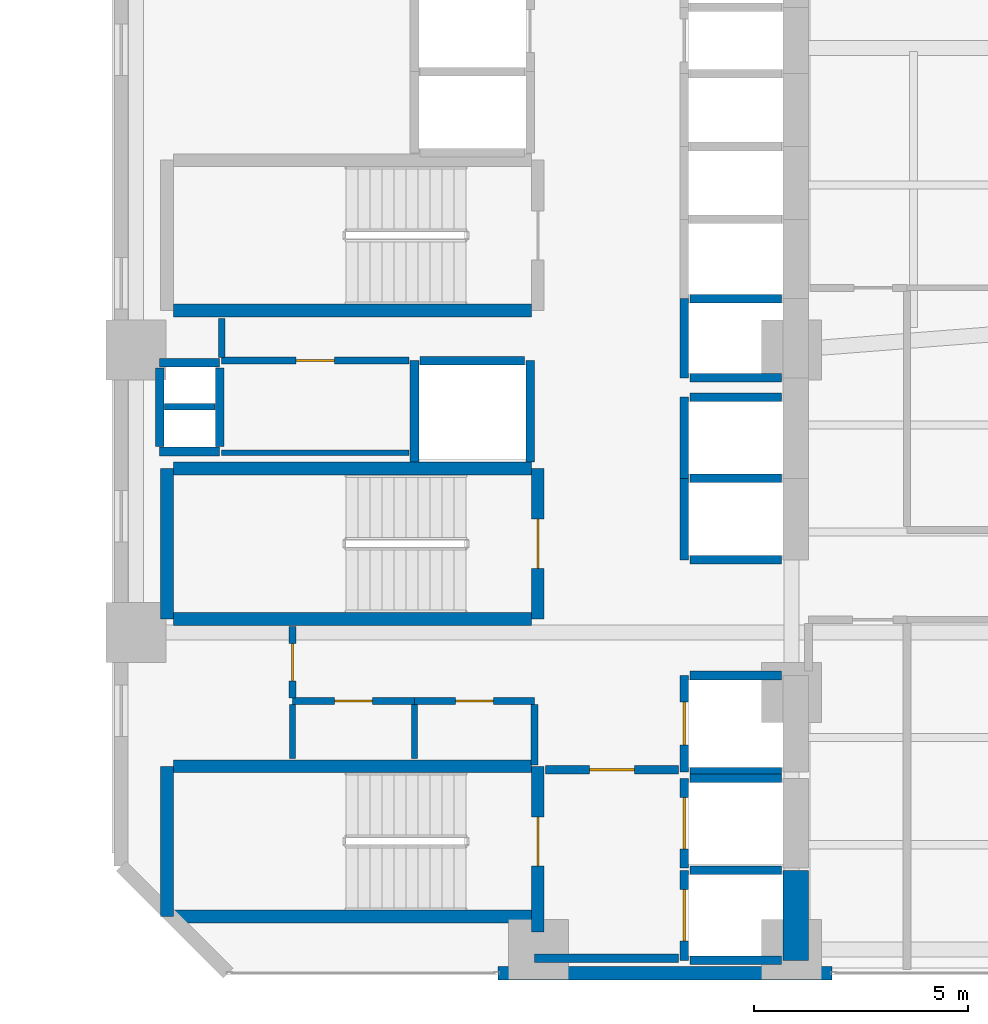
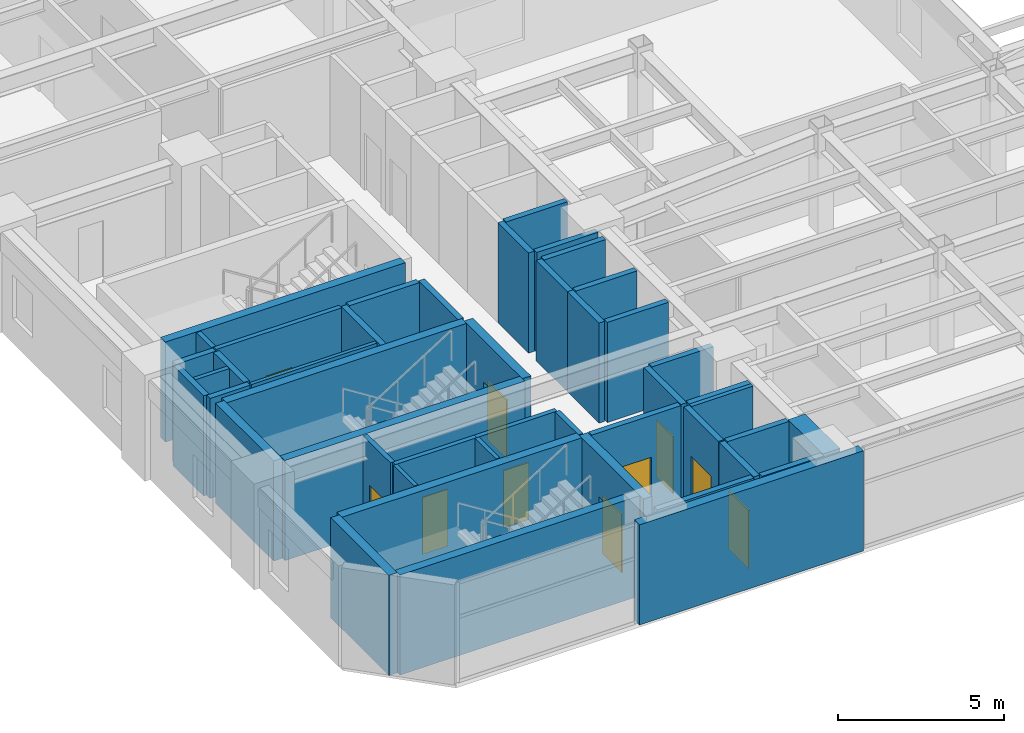
# One storey, part 9 of 16: 46 walls, 10 doors, 10 openings.
"""IFC4 building model written with IfcOpenShell, lengths in metres."""

from ifc_helpers import new_model, si_unit, direction, frame, frame_2d, origin, place, context, subcontext, project, spatial, rectangle, extrude, material, layer, layer_set, type_object, element, fill, save


model = new_model("IFC4")

# Units and contexts
model_context = context("Model", 3, precision=1e-05, world=origin(), true_north=direction((0.0, 1.0)))
body_context = subcontext(model_context, "Body", "Model", "MODEL_VIEW")
ifc_project = project(units=[si_unit("LENGTHUNIT", "METRE"), si_unit("AREAUNIT", "SQUARE_METRE"), si_unit("VOLUMEUNIT", "CUBIC_METRE"), si_unit("PLANEANGLEUNIT", "RADIAN"), si_unit("MASSUNIT", "GRAM", prefix="KILO")], contexts=[model_context])

# Site, building, storey
site_placement = place(None, origin())
site = spatial("IfcSite", under=ifc_project, at=site_placement, CompositionType="ELEMENT")
building_placement = place(site_placement, origin())
building = spatial("IfcBuilding", under=site, at=building_placement, Name="Mawjaban Terraces University", CompositionType="ELEMENT")
storey_placement = place(building_placement, frame((0.0, 0.0, 54.39990234375)))
storey = spatial("IfcBuildingStorey", under=building, at=storey_placement, Name="L12", CompositionType="ELEMENT", Elevation=54.39990234375)

# Wall
ifc_material_1 = material(Name="Concrete C70/85", Category="concrete")
ifc_layer_1 = layer(ifc_material_1, 0.60009765625)
ifc_layer_set_1 = layer_set([ifc_layer_1], Name="Concrete C70/85")
wall_type_1 = type_object("IfcWallType", Name="CoreShearWall_600", PredefinedType="SHEAR", material=ifc_layer_set_1)
wall_1_placement = place(storey_placement, frame((37.75, 0.300048828125, 0.0), z_axis=(0.0, 0.0, 1.0), x_axis=(0.0, 1.0, 0.0)))
element("IfcWall", 1, at=wall_1_placement, inside=storey, type_object=wall_type_1, Name="L12 Lift FL-1 Hoistway Wall East", PredefinedType="SHEAR", context=body_context, shape_type="SweptSolid", body=[
    extrude(rectangle(XDim=2.099853515625, YDim=0.60009765625, at=frame_2d((1.0498046875, 0.0))), origin(), (0.0, 0.0, 1.0), 3.690185546875),
])

# Wall, opening, door
ifc_material_2 = material(Name="Fire-rated gypsum board on steel stud", Category="steel")
ifc_layer_2 = layer(ifc_material_2, 0.159912109375)
ifc_layer_set_2 = layer_set([ifc_layer_2], Name="Fire-rated gypsum board on steel stud")
wall_type_2 = type_object("IfcWallType", Name="CorridorPartition_160", PredefinedType="PARTITIONING", material=ifc_layer_set_2)
wall_2_placement = place(storey_placement, frame((24.35009765625, 14.300048828125, 0.0), z_axis=(0.0, 0.0, 1.0), x_axis=(1.0, 0.0, 0.0)))
wall_2 = element("IfcWall", 2, at=wall_2_placement, inside=storey, type_object=wall_type_2, Name="L12 Core Riser Access Passage Partition 2", PredefinedType="PARTITIONING", context=body_context, shape_type="SweptSolid", body=[
    extrude(rectangle(XDim=4.369873046875, YDim=0.159912109375, at=frame_2d((2.18505859375, 0.0))), origin(), (0.0, 0.0, 1.0), 3.690185546875),
])
opening_1_placement = place(wall_2_placement, frame((1.735107421875, 0.0, 0.0)))
opening_1 = element("IfcOpeningElement", 3, at=opening_1_placement, cuts=wall_2, Name="Opening ID-090", PredefinedType="OPENING", context=body_context, shape_type="SweptSolid", body=[
    extrude(rectangle(XDim=0.89990234375, YDim=2.10009765625, at=frame_2d((0.449951171875, 1.050048828125))), frame((0.0, 0.08984375, 0.0), z_axis=(0.0, -1.0, 0.0), x_axis=(1.0, 0.0, 0.0)), (0.0, 0.0, 1.0), 0.179931640625),
])
ifc_material_3 = material(Name="Powder-coated steel frame and solid acoustic timber leaf", Category="steel")
door_type_1 = type_object("IfcDoorType", Name="OfficeDoor_900x2100", OperationType="NOTDEFINED", PredefinedType="DOOR", material=ifc_material_3)
door_1_placement = place(opening_1_placement, origin())
door_1 = element("IfcDoor", 4, at=door_1_placement, inside=storey, type_object=door_type_1, Name="L12 Cleaner Store Door", OperationType="SINGLE_SWING_RIGHT", OverallHeight=2.10009765625, OverallWidth=0.89990234375, PredefinedType="DOOR", context=body_context, shape_type="SweptSolid", body=[
    extrude(rectangle(XDim=0.89990234375, YDim=2.10009765625, at=frame_2d((0.449951171875, 1.050048828125))), frame((0.0, 0.02490234375, 0.0), z_axis=(0.0, -1.0, 0.0), x_axis=(1.0, 0.0, 0.0)), (0.0, 0.0, 1.0), 0.050048828125),
])
fill(opening_1, door_1)

wall_3_placement = place(storey_placement, frame((26.0, 6.35009765625, 0.0), z_axis=(0.0, 0.0, 1.0), x_axis=(1.0, 0.0, 0.0)))
wall_3 = element("IfcWall", 5, at=wall_3_placement, inside=storey, type_object=wall_type_2, Name="L12 Core Washroom Lobby Partition 3", PredefinedType="PARTITIONING", context=body_context, shape_type="SweptSolid", body=[
    extrude(rectangle(XDim=2.85009765625, YDim=0.159912109375, at=frame_2d((1.425048828125, 0.0))), origin(), (0.0, 0.0, 1.0), 3.690185546875),
])
opening_2_placement = place(wall_3_placement, frame((0.985107421875, 0.0, 0.0)))
opening_2 = element("IfcOpeningElement", 6, at=opening_2_placement, cuts=wall_3, Name="Opening ID-088", PredefinedType="OPENING", context=body_context, shape_type="SweptSolid", body=[
    extrude(rectangle(XDim=0.8798828125, YDim=2.10009765625, at=frame_2d((0.43994140625, 1.050048828125))), frame((0.0, 0.08984375, 0.0), z_axis=(0.0, -1.0, 0.0), x_axis=(1.0, 0.0, 0.0)), (0.0, 0.0, 1.0), 0.179931640625),
])
door_type_2 = type_object("IfcDoorType", Name="ToiletDoor_880x2100", OperationType="NOTDEFINED", PredefinedType="DOOR", material=ifc_material_3)
door_2_placement = place(opening_2_placement, origin())
door_2 = element("IfcDoor", 7, at=door_2_placement, inside=storey, type_object=door_type_2, Name="L12 Male Toilet Door", OperationType="SINGLE_SWING_RIGHT", OverallHeight=2.10009765625, OverallWidth=0.8798828125, PredefinedType="DOOR", context=body_context, shape_type="SweptSolid", body=[
    extrude(rectangle(XDim=0.8798828125, YDim=2.10009765625, at=frame_2d((0.43994140625, 1.050048828125))), frame((0.0, 0.02490234375, 0.0), z_axis=(0.0, -1.0, 0.0), x_axis=(1.0, 0.0, 0.0)), (0.0, 0.0, 1.0), 0.050048828125),
])
fill(opening_2, door_2)

wall_4_placement = place(storey_placement, frame((28.85009765625, 6.35009765625, 0.0), z_axis=(0.0, 0.0, 1.0), x_axis=(1.0, 0.0, 0.0)))
wall_4 = element("IfcWall", 8, at=wall_4_placement, inside=storey, type_object=wall_type_2, Name="L12 Core Washroom Lobby Partition 6", PredefinedType="PARTITIONING", context=body_context, shape_type="SweptSolid", body=[
    extrude(rectangle(XDim=2.7998046875, YDim=0.159912109375, at=frame_2d((1.39990234375, 0.0))), origin(), (0.0, 0.0, 1.0), 3.690185546875),
])
opening_3_placement = place(wall_4_placement, frame((0.9599609375, 0.0, 0.0)))
opening_3 = element("IfcOpeningElement", 9, at=opening_3_placement, cuts=wall_4, Name="Opening ID-088", PredefinedType="OPENING", context=body_context, shape_type="SweptSolid", body=[
    extrude(rectangle(XDim=0.8798828125, YDim=2.10009765625, at=frame_2d((0.43994140625, 1.050048828125))), frame((0.0, 0.08984375, 0.0), z_axis=(0.0, -1.0, 0.0), x_axis=(1.0, 0.0, 0.0)), (0.0, 0.0, 1.0), 0.179931640625),
])
door_3_placement = place(opening_3_placement, origin())
door_3 = element("IfcDoor", 10, at=door_3_placement, inside=storey, type_object=door_type_2, Name="L12 Accessible Toilet Door", OperationType="SINGLE_SWING_LEFT", OverallHeight=2.10009765625, OverallWidth=0.8798828125, PredefinedType="DOOR", context=body_context, shape_type="SweptSolid", body=[
    extrude(rectangle(XDim=0.8798828125, YDim=2.10009765625, at=frame_2d((0.43994140625, 1.050048828125))), frame((0.0, 0.02490234375, 0.0), z_axis=(0.0, -1.0, 0.0), x_axis=(1.0, 0.0, 0.0)), (0.0, 0.0, 1.0), 0.050048828125),
])
fill(opening_3, door_3)

# Wall
wall_5_placement = place(storey_placement, frame((24.35009765625, 15.2900390625, 0.0), z_axis=(0.0, 0.0, 1.0), x_axis=(0.0, -1.0, 0.0)))
element("IfcWall", 11, at=wall_5_placement, inside=storey, type_object=wall_type_2, Name="L12 Core Riser Access Passage Partition 26", PredefinedType="PARTITIONING", context=body_context, shape_type="SweptSolid", body=[
    extrude(rectangle(XDim=0.9150390625, YDim=0.159912109375, at=frame_2d((0.45751953125, 0.0))), origin(), (0.0, 0.0, 1.0), 3.690185546875),
])

# Wall, opening, door
wall_6_placement = place(storey_placement, frame((26.0, 8.090087890625, 0.0), z_axis=(0.0, 0.0, 1.0), x_axis=(0.0, -1.0, 0.0)))
wall_6 = element("IfcWall", 12, at=wall_6_placement, inside=storey, type_object=wall_type_2, Name="L12 Core Washroom Lobby Partition 28", PredefinedType="PARTITIONING", context=body_context, shape_type="SweptSolid", body=[
    extrude(rectangle(XDim=1.6650390625, YDim=0.159912109375, at=frame_2d((0.83251953125, 0.0))), origin(), (0.0, 0.0, 1.0), 3.690185546875),
])
opening_4_placement = place(wall_6_placement, frame((0.39306640625, 0.0, 0.0)))
opening_4 = element("IfcOpeningElement", 13, at=opening_4_placement, cuts=wall_6, Name="Opening ID-088", PredefinedType="OPENING", context=body_context, shape_type="SweptSolid", body=[
    extrude(rectangle(XDim=0.8798828125, YDim=2.10009765625, at=frame_2d((0.43994140625, 1.050048828125))), frame((0.0, 0.08984375, 0.0), z_axis=(0.0, -1.0, 0.0), x_axis=(1.0, 0.0, 0.0)), (0.0, 0.0, 1.0), 0.179931640625),
])
door_4_placement = place(opening_4_placement, origin())
door_4 = element("IfcDoor", 14, at=door_4_placement, inside=storey, type_object=door_type_2, Name="L12 Ablution Room Door", OperationType="SINGLE_SWING_LEFT", OverallHeight=2.10009765625, OverallWidth=0.8798828125, PredefinedType="DOOR", context=body_context, shape_type="SweptSolid", body=[
    extrude(rectangle(XDim=0.8798828125, YDim=2.10009765625, at=frame_2d((0.43994140625, 1.050048828125))), frame((0.0, 0.02490234375, 0.0), z_axis=(0.0, -1.0, 0.0), x_axis=(1.0, 0.0, 0.0)), (0.0, 0.0, 1.0), 0.050048828125),
])
fill(opening_4, door_4)

# Walls
wall_7_placement = place(storey_placement, frame((31.64990234375, 4.860107421875, 0.0), z_axis=(0.0, 0.0, 1.0), x_axis=(0.0, 1.0, 0.0)))
element("IfcWall", 15, at=wall_7_placement, inside=storey, type_object=wall_type_2, Name="L12 Accessible Toilet Partition 35", PredefinedType="PARTITIONING", context=body_context, shape_type="SweptSolid", body=[
    extrude(rectangle(XDim=1.414794921875, YDim=0.159912109375, at=frame_2d((0.70751953125, 0.0))), origin(), (0.0, 0.0, 1.0), 3.690185546875),
])
ifc_material_4 = material(Name="Insulated terracotta rainscreen on concrete backup C40/50", Category="masonry")
ifc_layer_3 = layer(ifc_material_4, 0.320068359375)
ifc_layer_set_3 = layer_set([ifc_layer_3], Name="Insulated terracotta rainscreen on concrete backup C40/50")
wall_type_3 = type_object("IfcWallType", Name="ExtTerracottaWall_320", PredefinedType="SOLIDWALL", material=ifc_layer_set_3)
wall_8_placement = place(storey_placement, frame((30.800048828125, 0.0, 0.0), z_axis=(0.0, 0.0, 1.0), x_axis=(1.0, 0.0, 0.0)))
element("IfcWall", 16, at=wall_8_placement, inside=storey, type_object=wall_type_3, Name="L12 Exterior Terracotta Pier Wall 1.1", PredefinedType="SOLIDWALL", context=body_context, shape_type="SweptSolid", body=[
    extrude(rectangle(XDim=7.800048828125, YDim=0.320068359375, at=frame_2d((3.89990234375, 0.0))), origin(), (0.0, 0.0, 1.0), 3.690185546875),
])

# Wall, opening, door
ifc_material_5 = material(Name="Concrete C40/50", Category="concrete")
ifc_layer_4 = layer(ifc_material_5, 0.199951171875)
ifc_layer_set_4 = layer_set([ifc_layer_4], Name="Concrete C40/50")
wall_type_4 = type_object("IfcWallType", Name="FireLobbyWall_200", PredefinedType="SOLIDWALL", material=ifc_layer_set_4)
wall_9_placement = place(storey_placement, frame((35.14990234375, 2.39990234375, 0.0), z_axis=(0.0, 0.0, 1.0), x_axis=(0.0, -1.0, 0.0)))
wall_9 = element("IfcWall", 17, at=wall_9_placement, inside=storey, type_object=wall_type_4, Name="L12 Lift FL-1 Hoistway Wall West", PredefinedType="SOLIDWALL", context=body_context, shape_type="SweptSolid", body=[
    extrude(rectangle(XDim=2.099853515625, YDim=0.199951171875, at=frame_2d((1.0498046875, 0.0))), origin(), (0.0, 0.0, 1.0), 3.690185546875),
])
opening_5_placement = place(wall_9_placement, frame((0.449951171875, 0.0, 0.0)))
opening_5 = element("IfcOpeningElement", 18, at=opening_5_placement, cuts=wall_9, Name="Opening LD-FL-1", PredefinedType="OPENING", context=body_context, shape_type="SweptSolid", body=[
    extrude(rectangle(XDim=1.199951171875, YDim=2.14990234375, at=frame_2d((0.60009765625, 1.074951171875))), frame((0.0, 0.10986328125, 0.0), z_axis=(0.0, -1.0, 0.0), x_axis=(1.0, 0.0, 0.0)), (0.0, 0.0, 1.0), 0.219970703125),
])
ifc_material_6 = material(Name="Powder-coated steel frame and fire-rated steel-faced leaf", Category="steel")
door_type_3 = type_object("IfcDoorType", Name="LiftLandingFSAE_1200x2150", OperationType="NOTDEFINED", PredefinedType="DOOR", material=ifc_material_6)
door_5_placement = place(opening_5_placement, origin())
door_5 = element("IfcDoor", 19, at=door_5_placement, inside=storey, type_object=door_type_3, Name="L12 Lift FL-1 Sliding Landing Door", OperationType="DOUBLE_DOOR_SLIDING", OverallHeight=2.14990234375, OverallWidth=1.199951171875, PredefinedType="DOOR", context=body_context, shape_type="SweptSolid", body=[
    extrude(rectangle(XDim=1.199951171875, YDim=2.14990234375, at=frame_2d((0.60009765625, 1.074951171875))), frame((0.0, 0.02490234375, 0.0), z_axis=(0.0, -1.0, 0.0), x_axis=(1.0, 0.0, 0.0)), (0.0, 0.0, 1.0), 0.050048828125),
])
fill(opening_5, door_5)

# Walls
for number, where, z_axis, x_axis, name in (
    (20, (35.280029296875, 0.300048828125, 0.0), (0.0, 0.0, 1.0), (1.0, 0.0, 0.0), "L12 Lift FL-1 Hoistway Wall South"),
    (21, (37.419921875, 2.39990234375, 0.0), (0.0, 0.0, 1.0), (-1.0, 0.0, 0.0), "L12 Lift FL-1 Hoistway Wall North"),
):
    element("IfcWall", number, at=place(storey_placement, frame(where, z_axis=z_axis, x_axis=x_axis)), inside=storey, type_object=wall_type_4, Name=name, PredefinedType="SOLIDWALL", context=body_context, shape_type="SweptSolid", body=[
        extrude(rectangle(XDim=2.139892578125, YDim=0.199951171875, at=frame_2d((1.06982421875, 0.0))), origin(), (0.0, 0.0, 1.0), 3.690185546875),
    ])

# Wall, opening, door
wall_10_placement = place(storey_placement, frame((35.14990234375, 4.550048828125, 0.0), z_axis=(0.0, 0.0, 1.0), x_axis=(0.0, -1.0, 0.0)))
wall_10 = element("IfcWall", 22, at=wall_10_placement, inside=storey, type_object=wall_type_4, Name="L12 Lift FL-2 Hoistway Wall West", PredefinedType="SOLIDWALL", context=body_context, shape_type="SweptSolid", body=[
    extrude(rectangle(XDim=2.10009765625, YDim=0.199951171875, at=frame_2d((1.050048828125, 0.0))), origin(), (0.0, 0.0, 1.0), 3.690185546875),
])
opening_6_placement = place(wall_10_placement, frame((0.449951171875, 0.0, 0.0)))
opening_6 = element("IfcOpeningElement", 23, at=opening_6_placement, cuts=wall_10, Name="Opening LD-FL-2", PredefinedType="OPENING", context=body_context, shape_type="SweptSolid", body=[
    extrude(rectangle(XDim=1.199951171875, YDim=2.14990234375, at=frame_2d((0.60009765625, 1.074951171875))), frame((0.0, 0.10986328125, 0.0), z_axis=(0.0, -1.0, 0.0), x_axis=(1.0, 0.0, 0.0)), (0.0, 0.0, 1.0), 0.219970703125),
])
door_6_placement = place(opening_6_placement, origin())
door_6 = element("IfcDoor", 24, at=door_6_placement, inside=storey, type_object=door_type_3, Name="L12 Lift FL-2 Sliding Landing Door", OperationType="DOUBLE_DOOR_SLIDING", OverallHeight=2.14990234375, OverallWidth=1.199951171875, PredefinedType="DOOR", context=body_context, shape_type="SweptSolid", body=[
    extrude(rectangle(XDim=1.199951171875, YDim=2.14990234375, at=frame_2d((0.60009765625, 1.074951171875))), frame((0.0, 0.02490234375, 0.0), z_axis=(0.0, -1.0, 0.0), x_axis=(1.0, 0.0, 0.0)), (0.0, 0.0, 1.0), 0.050048828125),
])
fill(opening_6, door_6)

# Wall
wall_11_placement = place(storey_placement, frame((37.419921875, 4.550048828125, 0.0), z_axis=(0.0, 0.0, 1.0), x_axis=(-1.0, 0.0, 0.0)))
element("IfcWall", 25, at=wall_11_placement, inside=storey, type_object=wall_type_4, Name="L12 Lift FL-2 Hoistway Wall North", PredefinedType="SOLIDWALL", context=body_context, shape_type="SweptSolid", body=[
    extrude(rectangle(XDim=2.139892578125, YDim=0.199951171875, at=frame_2d((1.06982421875, 0.0))), origin(), (0.0, 0.0, 1.0), 3.690185546875),
])

# Wall, opening, door
wall_12_placement = place(storey_placement, frame((35.14990234375, 6.949951171875, 0.0), z_axis=(0.0, 0.0, 1.0), x_axis=(0.0, -1.0, 0.0)))
wall_12 = element("IfcWall", 26, at=wall_12_placement, inside=storey, type_object=wall_type_4, Name="L12 Lift SL-1 Hoistway Wall West", PredefinedType="SOLIDWALL", context=body_context, shape_type="SweptSolid", body=[
    extrude(rectangle(XDim=2.25, YDim=0.199951171875, at=frame_2d((1.125, 0.0))), origin(), (0.0, 0.0, 1.0), 3.690185546875),
])
opening_7_placement = place(wall_12_placement, frame((0.625, 0.0, 0.0)))
opening_7 = element("IfcOpeningElement", 27, at=opening_7_placement, cuts=wall_12, Name="Opening LD-SL-1", PredefinedType="OPENING", context=body_context, shape_type="SweptSolid", body=[
    extrude(rectangle(XDim=1.0, YDim=2.10009765625, at=frame_2d((0.5, 1.050048828125))), frame((0.0, 0.10986328125, 0.0), z_axis=(0.0, -1.0, 0.0), x_axis=(1.0, 0.0, 0.0)), (0.0, 0.0, 1.0), 0.219970703125),
])
door_type_4 = type_object("IfcDoorType", Name="LiftLandingSliding_1000x2100", OperationType="NOTDEFINED", PredefinedType="DOOR", material=ifc_material_6)
door_7_placement = place(opening_7_placement, origin())
door_7 = element("IfcDoor", 28, at=door_7_placement, inside=storey, type_object=door_type_4, Name="L12 Lift SL-1 Sliding Landing Door", OperationType="DOUBLE_DOOR_SLIDING", OverallHeight=2.10009765625, OverallWidth=1.0, PredefinedType="DOOR", context=body_context, shape_type="SweptSolid", body=[
    extrude(rectangle(XDim=1.0, YDim=2.10009765625, at=frame_2d((0.5, 1.050048828125))), frame((0.0, 0.02490234375, 0.0), z_axis=(0.0, -1.0, 0.0), x_axis=(1.0, 0.0, 0.0)), (0.0, 0.0, 1.0), 0.050048828125),
])
fill(opening_7, door_7)

# Walls
for number, where, z_axis, x_axis, name in (
    (29, (35.280029296875, 4.699951171875, 0.0), (0.0, 0.0, 1.0), (1.0, 0.0, 0.0), "L12 Lift SL-1 Hoistway Wall South"),
    (30, (37.419921875, 6.949951171875, 0.0), (0.0, 0.0, 1.0), (-1.0, 0.0, 0.0), "L12 Lift SL-1 Hoistway Wall North"),
):
    element("IfcWall", number, at=place(storey_placement, frame(where, z_axis=z_axis, x_axis=x_axis)), inside=storey, type_object=wall_type_4, Name=name, PredefinedType="SOLIDWALL", context=body_context, shape_type="SweptSolid", body=[
        extrude(rectangle(XDim=2.139892578125, YDim=0.199951171875, at=frame_2d((1.06982421875, 0.0))), origin(), (0.0, 0.0, 1.0), 3.690185546875),
    ])
wall_13_placement = place(storey_placement, frame((35.14990234375, 11.550048828125, 0.0), z_axis=(0.0, 0.0, 1.0), x_axis=(0.0, -1.0, 0.0)))
element("IfcWall", 31, at=wall_13_placement, inside=storey, type_object=wall_type_4, Name="L12 Lift PL-H1 Hoistway Wall West", PredefinedType="SOLIDWALL", context=body_context, shape_type="SweptSolid", body=[
    extrude(rectangle(XDim=1.900146484375, YDim=0.199951171875, at=frame_2d((0.9501953125, 0.0))), origin(), (0.0, 0.0, 1.0), 3.690185546875),
])
for number, where, z_axis, x_axis, name in (
    (32, (35.280029296875, 9.64990234375, 0.0), (0.0, 0.0, 1.0), (1.0, 0.0, 0.0), "L12 Lift PL-H1 Hoistway Wall South"),
    (33, (37.419921875, 11.550048828125, 0.0), (0.0, 0.0, 1.0), (-1.0, 0.0, 0.0), "L12 Lift PL-H1 Hoistway Wall North"),
):
    element("IfcWall", number, at=place(storey_placement, frame(where, z_axis=z_axis, x_axis=x_axis)), inside=storey, type_object=wall_type_4, Name=name, PredefinedType="SOLIDWALL", context=body_context, shape_type="SweptSolid", body=[
        extrude(rectangle(XDim=2.139892578125, YDim=0.199951171875, at=frame_2d((1.06982421875, 0.0))), origin(), (0.0, 0.0, 1.0), 3.690185546875),
    ])
wall_14_placement = place(storey_placement, frame((35.14990234375, 13.449951171875, 0.0), z_axis=(0.0, 0.0, 1.0), x_axis=(0.0, -1.0, 0.0)))
element("IfcWall", 34, at=wall_14_placement, inside=storey, type_object=wall_type_4, Name="L12 Lift PL-H2 Hoistway Wall West", PredefinedType="SOLIDWALL", context=body_context, shape_type="SweptSolid", body=[
    extrude(rectangle(XDim=1.89990234375, YDim=0.199951171875, at=frame_2d((0.949951171875, 0.0))), origin(), (0.0, 0.0, 1.0), 3.690185546875),
])
wall_15_placement = place(storey_placement, frame((37.419921875, 13.449951171875, 0.0), z_axis=(0.0, 0.0, 1.0), x_axis=(-1.0, 0.0, 0.0)))
element("IfcWall", 35, at=wall_15_placement, inside=storey, type_object=wall_type_4, Name="L12 Lift PL-H2 Hoistway Wall North", PredefinedType="SOLIDWALL", context=body_context, shape_type="SweptSolid", body=[
    extrude(rectangle(XDim=2.139892578125, YDim=0.199951171875, at=frame_2d((1.06982421875, 0.0))), origin(), (0.0, 0.0, 1.0), 3.690185546875),
])
for number, where, z_axis, x_axis, name in (
    (36, (28.85009765625, 14.300048828125, 0.0), (0.0, 0.0, 1.0), (0.0, -1.0, 0.0), "L12 Lift PL-H3 Hoistway Wall West"),
    (37, (31.550048828125, 11.929931640625, 0.0), (0.0, 0.0, 1.0), (0.0, 1.0, 0.0), "L12 Lift PL-H3 Hoistway Wall East"),
):
    element("IfcWall", number, at=place(storey_placement, frame(where, z_axis=z_axis, x_axis=x_axis)), inside=storey, type_object=wall_type_4, Name=name, PredefinedType="SOLIDWALL", context=body_context, shape_type="SweptSolid", body=[
        extrude(rectangle(XDim=2.3701171875, YDim=0.199951171875, at=frame_2d((1.18505859375, 0.0))), origin(), (0.0, 0.0, 1.0), 3.690185546875),
    ])
wall_16_placement = place(storey_placement, frame((31.419921875, 14.300048828125, 0.0), z_axis=(0.0, 0.0, 1.0), x_axis=(-1.0, 0.0, 0.0)))
element("IfcWall", 38, at=wall_16_placement, inside=storey, type_object=wall_type_4, Name="L12 Lift PL-H3 Hoistway Wall North", PredefinedType="SOLIDWALL", context=body_context, shape_type="SweptSolid", body=[
    extrude(rectangle(XDim=2.43994140625, YDim=0.199951171875, at=frame_2d((1.219970703125, 0.0))), origin(), (0.0, 0.0, 1.0), 3.690185546875),
])
wall_17_placement = place(storey_placement, frame((35.14990234375, 15.75, 0.0), z_axis=(0.0, 0.0, 1.0), x_axis=(0.0, -1.0, 0.0)))
element("IfcWall", 39, at=wall_17_placement, inside=storey, type_object=wall_type_4, Name="L12 Lift OL-1 Hoistway Wall West", PredefinedType="SOLIDWALL", context=body_context, shape_type="SweptSolid", body=[
    extrude(rectangle(XDim=1.85009765625, YDim=0.199951171875, at=frame_2d((0.925048828125, 0.0))), origin(), (0.0, 0.0, 1.0), 3.690185546875),
])
for number, where, z_axis, x_axis, name in (
    (40, (35.280029296875, 13.89990234375, 0.0), (0.0, 0.0, 1.0), (1.0, 0.0, 0.0), "L12 Lift OL-1 Hoistway Wall South"),
    (41, (37.419921875, 15.75, 0.0), (0.0, 0.0, 1.0), (-1.0, 0.0, 0.0), "L12 Lift OL-1 Hoistway Wall North"),
):
    element("IfcWall", number, at=place(storey_placement, frame(where, z_axis=z_axis, x_axis=x_axis)), inside=storey, type_object=wall_type_4, Name=name, PredefinedType="SOLIDWALL", context=body_context, shape_type="SweptSolid", body=[
        extrude(rectangle(XDim=2.139892578125, YDim=0.199951171875, at=frame_2d((1.06982421875, 0.0))), origin(), (0.0, 0.0, 1.0), 3.690185546875),
    ])
for number, where, z_axis, x_axis, name in (
    (42, (22.89990234375, 14.25, 0.0), (0.0, 0.0, 1.0), (1.0, 0.0, 0.0), "L12 MEP Riser Shaft Wall N"),
    (43, (22.89990234375, 12.179931640625, 0.0), (0.0, 0.0, 1.0), (1.0, 0.0, 0.0), "L12 MEP Riser Shaft Wall S"),
):
    element("IfcWall", number, at=place(storey_placement, frame(where, z_axis=z_axis, x_axis=x_axis)), inside=storey, type_object=wall_type_4, Name=name, PredefinedType="SOLIDWALL", context=body_context, shape_type="SweptSolid", body=[
        extrude(rectangle(XDim=1.400146484375, YDim=0.199951171875, at=frame_2d((0.7001953125, 0.0))), origin(), (0.0, 0.0, 1.0), 3.690185546875),
    ])
for number, where, z_axis, x_axis, name in (
    (44, (24.300048828125, 12.300048828125, 0.0), (0.0, 0.0, 1.0), (0.0, 1.0, 0.0), "L12 MEP Riser Shaft Wall E"),
    (45, (22.89990234375, 12.300048828125, 0.0), (0.0, 0.0, 1.0), (0.0, 1.0, 0.0), "L12 MEP Riser Shaft Wall W"),
):
    element("IfcWall", number, at=place(storey_placement, frame(where, z_axis=z_axis, x_axis=x_axis)), inside=storey, type_object=wall_type_4, Name=name, PredefinedType="SOLIDWALL", context=body_context, shape_type="SweptSolid", body=[
        extrude(rectangle(XDim=1.829833984375, YDim=0.199951171875, at=frame_2d((0.9150390625, 0.0))), origin(), (0.0, 0.0, 1.0), 3.690185546875),
    ])
wall_18_placement = place(storey_placement, frame((31.64990234375, 0.35009765625, 0.0), z_axis=(0.0, 0.0, 1.0), x_axis=(1.0, 0.0, 0.0)))
element("IfcWall", 46, at=wall_18_placement, inside=storey, type_object=wall_type_4, Name="L12 Firefighting Lift Lobby Partition 9", PredefinedType="SOLIDWALL", context=body_context, shape_type="SweptSolid", body=[
    extrude(rectangle(XDim=3.3701171875, YDim=0.199951171875, at=frame_2d((1.68505859375, 0.0))), origin(), (0.0, 0.0, 1.0), 3.690185546875),
])

# Wall, opening, door
wall_19_placement = place(storey_placement, frame((35.02001953125, 4.75, 0.0), z_axis=(0.0, 0.0, 1.0), x_axis=(-1.0, 0.0, 0.0)))
wall_19 = element("IfcWall", 47, at=wall_19_placement, inside=storey, type_object=wall_type_4, Name="L12 Firefighting Lift Lobby Partition 10", PredefinedType="SOLIDWALL", context=body_context, shape_type="SweptSolid", body=[
    extrude(rectangle(XDim=3.110107421875, YDim=0.199951171875, at=frame_2d((1.55517578125, 0.0))), origin(), (0.0, 0.0, 1.0), 3.690185546875),
])
opening_8_placement = place(wall_19_placement, frame((1.030029296875, 0.0, 0.0)))
opening_8 = element("IfcOpeningElement", 48, at=opening_8_placement, cuts=wall_19, Name="Opening FD-105", PredefinedType="OPENING", context=body_context, shape_type="SweptSolid", body=[
    extrude(rectangle(XDim=1.050048828125, YDim=2.14990234375, at=frame_2d((0.52490234375, 1.074951171875))), frame((0.0, 0.10986328125, 0.0), z_axis=(0.0, -1.0, 0.0), x_axis=(1.0, 0.0, 0.0)), (0.0, 0.0, 1.0), 0.219970703125),
])
door_type_5 = type_object("IfcDoorType", Name="FireLobbyDoor_1050x2150", OperationType="NOTDEFINED", PredefinedType="DOOR", material=ifc_material_6)
door_8_placement = place(opening_8_placement, origin())
door_8 = element("IfcDoor", 49, at=door_8_placement, inside=storey, type_object=door_type_5, Name="L12 Firefighting Lift Lobby Door", OperationType="SINGLE_SWING_RIGHT", OverallHeight=2.14990234375, OverallWidth=1.050048828125, PredefinedType="DOOR", context=body_context, shape_type="SweptSolid", body=[
    extrude(rectangle(XDim=1.050048828125, YDim=2.14990234375, at=frame_2d((0.52490234375, 1.074951171875))), frame((0.0, 0.02490234375, 0.0), z_axis=(0.0, -1.0, 0.0), x_axis=(1.0, 0.0, 0.0)), (0.0, 0.0, 1.0), 0.050048828125),
])
fill(opening_8, door_8)

# Walls
ifc_material_7 = material(Name="Moisture-resistant gypsum board on steel stud", Category="steel")
ifc_layer_5 = layer(ifc_material_7, 0.14501953125)
ifc_layer_set_5 = layer_set([ifc_layer_5], Name="Moisture-resistant gypsum board on steel stud")
wall_type_5 = type_object("IfcWallType", Name="LabPartition_145", PredefinedType="PARTITIONING", material=ifc_layer_set_5)
wall_20_placement = place(storey_placement, frame((23.010009765625, 13.22509765625, 0.0), z_axis=(0.0, 0.0, 1.0), x_axis=(1.0, 0.0, 0.0)))
element("IfcWall", 50, at=wall_20_placement, inside=storey, type_object=wall_type_5, Name="L12 MEP Riser Shaft Wall M", PredefinedType="PARTITIONING", context=body_context, shape_type="SweptSolid", body=[
    extrude(rectangle(XDim=1.179931640625, YDim=0.14501953125, at=frame_2d((0.58984375, 0.0))), origin(), (0.0, 0.0, 1.0), 3.690185546875),
])
ifc_material_8 = material(Name="Gypsum plasterboard on steel stud", Category="steel")
ifc_layer_6 = layer(ifc_material_8, 0.125)
ifc_layer_set_6 = layer_set([ifc_layer_6], Name="Gypsum plasterboard on steel stud")
wall_type_6 = type_object("IfcWallType", Name="OfficePartition_125", PredefinedType="PARTITIONING", material=ifc_layer_set_6)
wall_21_placement = place(storey_placement, frame((24.35009765625, 12.14990234375, 0.0), z_axis=(0.0, 0.0, 1.0), x_axis=(1.0, 0.0, 0.0)))
element("IfcWall", 51, at=wall_21_placement, inside=storey, type_object=wall_type_6, Name="L12 Cleaner Store Partition 1", PredefinedType="PARTITIONING", context=body_context, shape_type="SweptSolid", body=[
    extrude(rectangle(XDim=4.369873046875, YDim=0.125, at=frame_2d((2.18505859375, 0.0))), origin(), (0.0, 0.0, 1.0), 3.690185546875),
])
ifc_material_9 = material(Name="Concrete C60/75", Category="concrete")
ifc_layer_7 = layer(ifc_material_9, 0.300048828125)
ifc_layer_set_7 = layer_set([ifc_layer_7], Name="Concrete C60/75")
wall_type_7 = type_object("IfcWallType", Name="StairShaftWall_300", PredefinedType="SHEAR", material=ifc_layer_set_7)
wall_22_placement = place(storey_placement, frame((31.580078125, 4.830078125, 0.0), z_axis=(0.0, 0.0, 1.0), x_axis=(-1.0, 0.0, 0.0)))
element("IfcWall", 52, at=wall_22_placement, inside=storey, type_object=wall_type_7, Name="L12 ST-1 Stair Shaft Wall 1", PredefinedType="SHEAR", context=body_context, shape_type="SweptSolid", body=[
    extrude(rectangle(XDim=8.360107421875, YDim=0.300048828125, at=frame_2d((4.18017578125, 0.0))), origin(), (0.0, 0.0, 1.0), 3.690185546875),
])
wall_23_placement = place(storey_placement, frame((23.070068359375, 4.830078125, 0.0), z_axis=(0.0, 0.0, 1.0), x_axis=(0.0, -1.0, 0.0)))
element("IfcWall", 53, at=wall_23_placement, inside=storey, type_object=wall_type_7, Name="L12 ST-1 Stair Shaft Wall 2", PredefinedType="SHEAR", context=body_context, shape_type="SweptSolid", body=[
    extrude(rectangle(XDim=3.510009765625, YDim=0.300048828125, at=frame_2d((1.7548828125, 0.0))), origin(), (0.0, 0.0, 1.0), 3.690185546875),
])
wall_24_placement = place(storey_placement, frame((23.219970703125, 1.320068359375, 0.0), z_axis=(0.0, 0.0, 1.0), x_axis=(1.0, 0.0, 0.0)))
element("IfcWall", 54, at=wall_24_placement, inside=storey, type_object=wall_type_7, Name="L12 ST-1 Stair Shaft Wall 3", PredefinedType="SHEAR", context=body_context, shape_type="SweptSolid", body=[
    extrude(rectangle(XDim=8.360107421875, YDim=0.300048828125, at=frame_2d((4.18017578125, 0.0))), origin(), (0.0, 0.0, 1.0), 3.690185546875),
])

# Wall, opening, door
wall_25_placement = place(storey_placement, frame((31.72998046875, 0.9599609375, 0.0), z_axis=(0.0, 0.0, 1.0), x_axis=(0.0, 1.0, 0.0)))
wall_25 = element("IfcWall", 55, at=wall_25_placement, inside=storey, type_object=wall_type_7, Name="L12 ST-1 Stair Shaft Wall 4", PredefinedType="SHEAR", context=body_context, shape_type="SweptSolid", body=[
    extrude(rectangle(XDim=3.8701171875, YDim=0.300048828125, at=frame_2d((1.93505859375, 0.0))), origin(), (0.0, 0.0, 1.0), 3.690185546875),
])
opening_9_placement = place(wall_25_placement, frame((1.5400390625, 0.0, 0.0)))
opening_9 = element("IfcOpeningElement", 56, at=opening_9_placement, cuts=wall_25, Name="Opening FD-115", PredefinedType="OPENING", context=body_context, shape_type="SweptSolid", body=[
    extrude(rectangle(XDim=1.14990234375, YDim=2.14990234375, at=frame_2d((0.574951171875, 1.074951171875))), frame((0.0, 0.159912109375, 0.0), z_axis=(0.0, -1.0, 0.0), x_axis=(1.0, 0.0, 0.0)), (0.0, 0.0, 1.0), 0.320068359375),
])
door_type_6 = type_object("IfcDoorType", Name="FireStairDoor_1150x2150", OperationType="NOTDEFINED", PredefinedType="DOOR", material=ifc_material_6)
door_9_placement = place(opening_9_placement, origin())
door_9 = element("IfcDoor", 57, at=door_9_placement, inside=storey, type_object=door_type_6, Name="L12 ST-1 Pressurised Stair Fire Door", OperationType="SINGLE_SWING_LEFT", OverallHeight=2.14990234375, OverallWidth=1.14990234375, PredefinedType="DOOR", context=body_context, shape_type="SweptSolid", body=[
    extrude(rectangle(XDim=1.14990234375, YDim=2.14990234375, at=frame_2d((0.574951171875, 1.074951171875))), frame((0.0, 0.02490234375, 0.0), z_axis=(0.0, -1.0, 0.0), x_axis=(1.0, 0.0, 0.0)), (0.0, 0.0, 1.0), 0.050048828125),
])
fill(opening_9, door_9)

# Walls
for number, where, z_axis, x_axis, name in (
    (58, (23.219970703125, 15.469970703125, 0.0), (0.0, 0.0, 1.0), (1.0, 0.0, 0.0), "L12 ST-2 Stair Shaft Wall 3"),
    (59, (31.580078125, 11.780029296875, 0.0), (0.0, 0.0, 1.0), (-1.0, 0.0, 0.0), "L12 ST-3 Stair Shaft Wall 1"),
):
    element("IfcWall", number, at=place(storey_placement, frame(where, z_axis=z_axis, x_axis=x_axis)), inside=storey, type_object=wall_type_7, Name=name, PredefinedType="SHEAR", context=body_context, shape_type="SweptSolid", body=[
        extrude(rectangle(XDim=8.360107421875, YDim=0.300048828125, at=frame_2d((4.18017578125, 0.0))), origin(), (0.0, 0.0, 1.0), 3.690185546875),
    ])
wall_26_placement = place(storey_placement, frame((23.070068359375, 11.780029296875, 0.0), z_axis=(0.0, 0.0, 1.0), x_axis=(0.0, -1.0, 0.0)))
element("IfcWall", 60, at=wall_26_placement, inside=storey, type_object=wall_type_7, Name="L12 ST-3 Stair Shaft Wall 2", PredefinedType="SHEAR", context=body_context, shape_type="SweptSolid", body=[
    extrude(rectangle(XDim=3.510009765625, YDim=0.300048828125, at=frame_2d((1.7548828125, 0.0))), origin(), (0.0, 0.0, 1.0), 3.690185546875),
])
wall_27_placement = place(storey_placement, frame((23.219970703125, 8.27001953125, 0.0), z_axis=(0.0, 0.0, 1.0), x_axis=(1.0, 0.0, 0.0)))
element("IfcWall", 61, at=wall_27_placement, inside=storey, type_object=wall_type_7, Name="L12 ST-3 Stair Shaft Wall 3", PredefinedType="SHEAR", context=body_context, shape_type="SweptSolid", body=[
    extrude(rectangle(XDim=8.360107421875, YDim=0.300048828125, at=frame_2d((4.18017578125, 0.0))), origin(), (0.0, 0.0, 1.0), 3.690185546875),
])

# Wall, opening, door
wall_28_placement = place(storey_placement, frame((31.72998046875, 8.27001953125, 0.0), z_axis=(0.0, 0.0, 1.0), x_axis=(0.0, 1.0, 0.0)))
wall_28 = element("IfcWall", 62, at=wall_28_placement, inside=storey, type_object=wall_type_7, Name="L12 ST-3 Stair Shaft Wall 4", PredefinedType="SHEAR", context=body_context, shape_type="SweptSolid", body=[
    extrude(rectangle(XDim=3.510009765625, YDim=0.300048828125, at=frame_2d((1.7548828125, 0.0))), origin(), (0.0, 0.0, 1.0), 3.690185546875),
])
opening_10_placement = place(wall_28_placement, frame((1.179931640625, 0.0, 0.0)))
opening_10 = element("IfcOpeningElement", 63, at=opening_10_placement, cuts=wall_28, Name="Opening FD-115", PredefinedType="OPENING", context=body_context, shape_type="SweptSolid", body=[
    extrude(rectangle(XDim=1.14990234375, YDim=2.14990234375, at=frame_2d((0.574951171875, 1.074951171875))), frame((0.0, 0.159912109375, 0.0), z_axis=(0.0, -1.0, 0.0), x_axis=(1.0, 0.0, 0.0)), (0.0, 0.0, 1.0), 0.320068359375),
])
door_10_placement = place(opening_10_placement, origin())
door_10 = element("IfcDoor", 64, at=door_10_placement, inside=storey, type_object=door_type_6, Name="L12 ST-3 Pressurised Stair Fire Door", OperationType="SINGLE_SWING_LEFT", OverallHeight=2.14990234375, OverallWidth=1.14990234375, PredefinedType="DOOR", context=body_context, shape_type="SweptSolid", body=[
    extrude(rectangle(XDim=1.14990234375, YDim=2.14990234375, at=frame_2d((0.574951171875, 1.074951171875))), frame((0.0, 0.02490234375, 0.0), z_axis=(0.0, -1.0, 0.0), x_axis=(1.0, 0.0, 0.0)), (0.0, 0.0, 1.0), 0.050048828125),
])
fill(opening_10, door_10)

# Walls
ifc_material_10 = material(Name="Cement-board wet-room partition", Category="masonry")
ifc_layer_8 = layer(ifc_material_10, 0.135009765625)
ifc_layer_set_8 = layer_set([ifc_layer_8], Name="Cement-board wet-room partition")
wall_type_8 = type_object("IfcWallType", Name="WetRoomPartition_135", PredefinedType="PARTITIONING", material=ifc_layer_set_8)
for number, where, z_axis, x_axis, name in (
    (65, (26.0, 5.010009765625, 0.0), (0.0, 0.0, 1.0), (0.0, 1.0, 0.0), "L12 Ablution Room Partition 27"),
    (66, (28.85009765625, 5.010009765625, 0.0), (0.0, 0.0, 1.0), (0.0, 1.0, 0.0), "L12 Male Toilet Partition 30"),
):
    element("IfcWall", number, at=place(storey_placement, frame(where, z_axis=z_axis, x_axis=x_axis)), inside=storey, type_object=wall_type_8, Name=name, PredefinedType="PARTITIONING", context=body_context, shape_type="SweptSolid", body=[
        extrude(rectangle(XDim=1.264892578125, YDim=0.135009765625, at=frame_2d((0.63232421875, 0.0))), origin(), (0.0, 0.0, 1.0), 3.690185546875),
    ])

save(model, "model.ifc")
